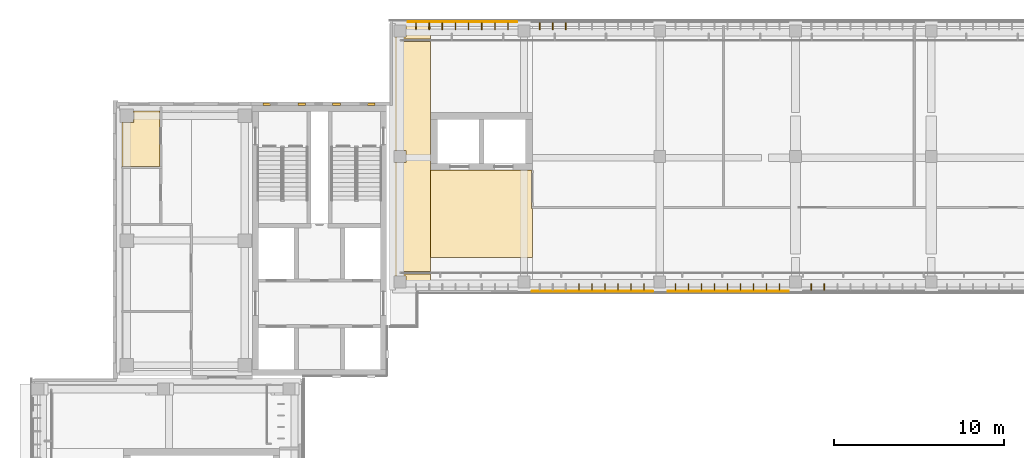
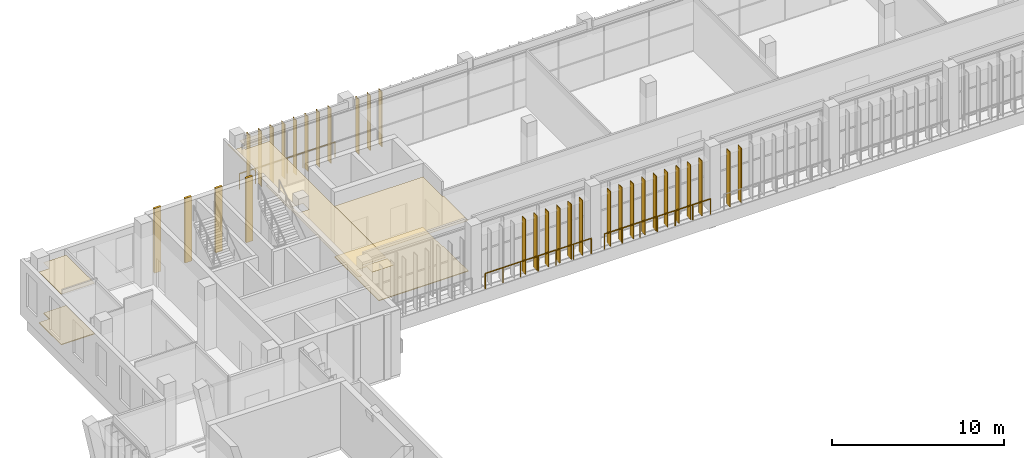
# One storey, part 62 of 73: 28 shading devices, 9 coverings, 3 railings.
"""IFC4 building model written with IfcOpenShell, lengths in metres."""

from ifc_helpers import new_model, si_unit, direction, frame, frame_2d, origin, origin_2d, place, context, subcontext, project, spatial, polyline, rectangle, circle, outline, extrude, material, layer, layer_set, type_object, element, save


model = new_model("IFC4")

# Units and contexts
model_context = context("Model", 3, precision=1e-05, world=origin(), true_north=direction((0.0, 1.0)))
body_context = subcontext(model_context, "Body", "Model", "MODEL_VIEW")
ifc_project = project(units=[si_unit("LENGTHUNIT", "METRE"), si_unit("AREAUNIT", "SQUARE_METRE"), si_unit("VOLUMEUNIT", "CUBIC_METRE"), si_unit("PLANEANGLEUNIT", "RADIAN"), si_unit("MASSUNIT", "GRAM", prefix="KILO")], contexts=[model_context])

# Site, building, storey
site_placement = place(None, origin())
site = spatial("IfcSite", under=ifc_project, at=site_placement, CompositionType="ELEMENT")
building_placement = place(site_placement, origin())
building = spatial("IfcBuilding", under=site, at=building_placement, Name="Lantern Court Media Centre", CompositionType="ELEMENT")
storey_placement = place(building_placement, frame((0.0, 0.0, 24.0)))
storey = spatial("IfcBuildingStorey", under=building, at=storey_placement, Name="L05", CompositionType="ELEMENT", Elevation=24.0)

# Covering
ifc_material_1 = material(Name="Carpet")
ifc_layer_1 = layer(ifc_material_1, 0.050048828125)
ifc_layer_set_1 = layer_set([ifc_layer_1], Name="Carpet")
covering_type_1 = type_object("IfcCoveringType", Name="Carpet floor finish", PredefinedType="FLOORING", material=ifc_layer_set_1)
covering_1_placement = place(storey_placement, origin())
element("IfcCovering", 1, at=covering_1_placement, inside=storey, type_object=covering_type_1, Name="WC Male floor finish", PredefinedType="FLOORING", context=body_context, shape_type="SweptSolid", body=[
    extrude(outline(polyline([(10.532470703125, 111.699951171875), (10.532470703125, 108.407958984375), (8.300048828125, 108.407958984375), (8.300048828125, 110.9951171875), (9.00341796875, 110.99658203125), (9.0048828125, 111.699951171875), (10.532470703125, 111.699951171875)])), origin(), (0.0, 0.0, 1.0), 0.050048828125),
])

# Railings
ifc_material_2 = material(Name="Powder-coated steel", Category="steel")
railing_type = type_object("IfcRailingType", Name="Floor edge guard 1100", PredefinedType="GUARDRAIL", material=ifc_material_2)
railing_placement = place(storey_placement, frame((25.175048828125, 116.93994140625, 0.0)))
element("IfcRailing", 2, at=railing_placement, inside=storey, type_object=railing_type, Name="L05 edge guard 167", PredefinedType="GUARDRAIL", context=body_context, shape_type="SweptSolid", body=[
    extrude(circle(Radius=0.02392578125, at=origin_2d()), frame((0.0, 0.0, 1.076171875), z_axis=(1.0, 0.0, 0.0), x_axis=(0.0, 1.0, 0.0)), (0.0, 0.0, 1.0), 6.39794921875),
    extrude(circle(Radius=0.02099609375, at=origin_2d()), origin(), (0.0, 0.0, 1.0), 1.052001953125),
    extrude(circle(Radius=0.02099609375, at=origin_2d()), frame((1.06640625, 0.0, 0.0)), (0.0, 0.0, 1.0), 1.052001953125),
    extrude(circle(Radius=0.02099609375, at=origin_2d()), frame((2.132568359375, 0.0, 0.0)), (0.0, 0.0, 1.0), 1.052001953125),
    extrude(circle(Radius=0.02099609375, at=origin_2d()), frame((3.198974609375, 0.0, 0.0)), (0.0, 0.0, 1.0), 1.052001953125),
    extrude(circle(Radius=0.02099609375, at=origin_2d()), frame((4.265380859375, 0.0, 0.0)), (0.0, 0.0, 1.0), 1.052001953125),
    extrude(circle(Radius=0.02099609375, at=origin_2d()), frame((5.33154296875, 0.0, 0.0)), (0.0, 0.0, 1.0), 1.052001953125),
    extrude(circle(Radius=0.02099609375, at=origin_2d()), frame((6.39794921875, 0.0, 0.0)), (0.0, 0.0, 1.0), 1.052001953125),
])
for number, where, name in (
    (3, (39.5849609375, 101.06005859375, 0.0), "L05 edge guard 170"),
    (4, (47.5830078125, 101.06005859375, 0.0), "L05 edge guard 173"),
):
    element("IfcRailing", number, at=place(storey_placement, frame(where)), inside=storey, type_object=railing_type, Name=name, PredefinedType="GUARDRAIL", context=body_context, shape_type="SweptSolid", body=[
        extrude(circle(Radius=0.02392578125, at=origin_2d()), frame((0.0, 0.0, 1.076171875), z_axis=(-1.0, 0.0, 0.0), x_axis=(0.0, -1.0, 0.0)), (0.0, 0.0, 1.0), 7.097900390625),
        extrude(circle(Radius=0.02099609375, at=origin_2d()), origin(), (0.0, 0.0, 1.0), 1.052001953125),
        extrude(circle(Radius=0.02099609375, at=origin_2d()), frame((-1.18310546875, 0.0, 0.0)), (0.0, 0.0, 1.0), 1.052001953125),
        extrude(circle(Radius=0.02099609375, at=origin_2d()), frame((-2.365966796875, 0.0, 0.0)), (0.0, 0.0, 1.0), 1.052001953125),
        extrude(circle(Radius=0.02099609375, at=origin_2d()), frame((-3.548828125, 0.0, 0.0)), (0.0, 0.0, 1.0), 1.052001953125),
        extrude(circle(Radius=0.02099609375, at=origin_2d()), frame((-4.73193359375, 0.0, 0.0)), (0.0, 0.0, 1.0), 1.052001953125),
        extrude(circle(Radius=0.02099609375, at=origin_2d()), frame((-5.9150390625, 0.0, 0.0)), (0.0, 0.0, 1.0), 1.052001953125),
        extrude(circle(Radius=0.02099609375, at=origin_2d()), frame((-7.097900390625, 0.0, 0.0)), (0.0, 0.0, 1.0), 1.052001953125),
    ])

# Coverings
ifc_material_3 = material(Name="Honed limestone cladding", Category="masonry")
ifc_layer_2 = layer(ifc_material_3, 0.14990234375)
ifc_layer_set_2 = layer_set([ifc_layer_2], Name="Honed limestone cladding")
covering_type_2 = type_object("IfcCoveringType", Name="Limestone pilaster cladding 150", PredefinedType="CLADDING", material=ifc_layer_set_2)
for number, where, z_axis, x_axis, name in (
    (5, (16.625, 112.074951171875, 0.0), (0.0, 0.0, 1.0), (1.0, 0.0, 0.0), "Limestone pilaster rib"),
    (6, (18.675048828125, 112.074951171875, 0.0), (0.0, 0.0, 1.0), (1.0, 0.0, 0.0), "Limestone pilaster rib"),
    (7, (20.72509765625, 112.074951171875, 0.0), (0.0, 0.0, 1.0), (1.0, 0.0, 0.0), "Limestone pilaster rib"),
):
    element("IfcCovering", number, at=place(storey_placement, frame(where, z_axis=z_axis, x_axis=x_axis)), inside=storey, type_object=covering_type_2, Name=name, PredefinedType="CLADDING", context=body_context, shape_type="SweptSolid", body=[
        extrude(rectangle(XDim=0.449951171875, YDim=0.14990234375, at=frame_2d((0.22509765625, 0.0))), origin(), (0.0, 0.0, 1.0), 4.580078125),
    ])
covering_2_placement = place(storey_placement, frame((22.77490234375, 112.074951171875, 0.0), z_axis=(0.0, 0.0, 1.0), x_axis=(1.0, 0.0, 0.0)))
element("IfcCovering", 8, at=covering_2_placement, inside=storey, type_object=covering_type_2, Name="Limestone pilaster rib", PredefinedType="CLADDING", context=body_context, shape_type="SweptSolid", body=[
    extrude(rectangle(XDim=0.4501953125, YDim=0.14990234375, at=frame_2d((0.22509765625, 0.0))), origin(), (0.0, 0.0, 1.0), 4.580078125),
])
ifc_material_4 = material(Name="Mineral fibre ceiling tile")
ifc_layer_3 = layer(ifc_material_4, 0.02001953125)
ifc_layer_set_3 = layer_set([ifc_layer_3], Name="Mineral fibre ceiling tile")
covering_type_3 = type_object("IfcCoveringType", Name="Suspended ceiling tile", PredefinedType="CEILING", material=ifc_layer_set_3)
covering_3_placement = place(storey_placement, frame((0.0, 0.0, 3.60009765625)))
element("IfcCovering", 9, at=covering_3_placement, inside=storey, type_object=covering_type_3, Name="End Lobby ceiling", PredefinedType="CEILING", context=body_context, shape_type="SweptSolid", body=[
    extrude(outline(polyline([(26.5, 101.300048828125), (25.050537109375, 101.300048828125), (25.050048828125, 101.950439453125), (24.349609375, 101.950439453125), (24.349609375, 101.300048828125), (24.10009765625, 101.300048828125), (24.10009765625, 111.99951171875), (24.240478515625, 112.0), (24.240478515625, 116.699951171875), (24.349609375, 116.699951171875), (24.35009765625, 116.049560546875), (25.05029296875, 116.049560546875), (25.050537109375, 116.699951171875), (26.5, 116.699951171875), (26.5, 115.925537109375), (24.8994140625, 115.925048828125), (24.89990234375, 115.7744140625), (26.5, 115.7744140625), (26.5, 102.2255859375), (24.8994140625, 102.22509765625), (24.89990234375, 102.074462890625), (26.5, 102.074462890625), (26.5, 101.300048828125)]), holes=[polyline([(25.050537109375, 109.35009765625), (24.349609375, 109.350341796875), (24.349609375, 108.649658203125), (25.05029296875, 108.649658203125), (25.050537109375, 109.35009765625)])]), origin(), (0.0, 0.0, 1.0), 0.02001953125),
])
covering_4_placement = place(storey_placement, frame((0.0, 0.0, 3.60009765625)))
element("IfcCovering", 10, at=covering_4_placement, inside=storey, type_object=covering_type_3, Name="Lift Lobby ceiling", PredefinedType="CEILING", context=body_context, shape_type="SweptSolid", body=[
    extrude(outline(polyline([(32.5, 103.050048828125), (26.5, 103.050048828125), (26.5, 108.199462890625), (32.5, 108.199462890625), (32.43701171875, 108.195068359375), (32.43701171875, 105.9375), (32.5, 105.93701171875), (32.5, 103.050048828125)])), origin(), (0.0, 0.0, 1.0), 0.02001953125),
])
covering_5_placement = place(storey_placement, frame((0.0, 0.0, 3.60009765625)))
element("IfcCovering", 11, at=covering_5_placement, inside=storey, type_object=covering_type_3, Name="WC Male ceiling", PredefinedType="CEILING", context=body_context, shape_type="SweptSolid", body=[
    extrude(outline(polyline([(10.537109375, 111.699951171875), (10.537109375, 108.403564453125), (8.300048828125, 108.403564453125), (8.300048828125, 110.99951171875), (9.000244140625, 110.999755859375), (9.00048828125, 111.699951171875), (10.537109375, 111.699951171875)])), origin(), (0.0, 0.0, 1.0), 0.02001953125),
])
ifc_material_5 = material(Name="Terrazzo")
ifc_layer_4 = layer(ifc_material_5, 0.050048828125)
ifc_layer_set_4 = layer_set([ifc_layer_4], Name="Terrazzo")
covering_type_4 = type_object("IfcCoveringType", Name="Terrazzo floor finish", PredefinedType="FLOORING", material=ifc_layer_set_4)
covering_6_placement = place(storey_placement, origin())
element("IfcCovering", 12, at=covering_6_placement, inside=storey, type_object=covering_type_4, Name="Lift Lobby floor finish", PredefinedType="FLOORING", context=body_context, shape_type="SweptSolid", body=[
    extrude(outline(polyline([(32.5, 103.050048828125), (26.5, 103.050048828125), (26.5, 108.195068359375), (32.4326171875, 108.195068359375), (32.4326171875, 105.9375), (32.5, 105.9326171875), (32.5, 103.050048828125)])), origin(), (0.0, 0.0, 1.0), 0.050048828125),
])

# Shading devices
ifc_material_6 = material(Name="Bronze anodised aluminium louvre", Category="aluminium")
ifc_layer_5 = layer(ifc_material_6, 0.0400390625)
ifc_layer_set_5 = layer_set([ifc_layer_5], Name="Bronze anodised aluminium louvre")
shading_device_type = type_object("IfcShadingDeviceType", Name="Vertical louvre 40x400 under beam", PredefinedType="USERDEFINED", material=ifc_layer_set_5)
for number, where, z_axis, x_axis, name in (
    (13, (25.637451171875, 116.679931640625, 0.0), (0.0, 0.0, 1.0), (1.0, 0.0, 0.0), "Vertical louvre N outer L05"),
    (14, (26.41259765625, 116.679931640625, 0.0), (0.0, 0.0, 1.0), (1.0, 0.0, 0.0), "Vertical louvre N outer L05"),
    (15, (27.1875, 116.679931640625, 0.0), (0.0, 0.0, 1.0), (1.0, 0.0, 0.0), "Vertical louvre N outer L05"),
    (16, (27.96240234375, 116.679931640625, 0.0), (0.0, 0.0, 1.0), (1.0, 0.0, 0.0), "Vertical louvre N outer L05"),
    (17, (28.737548828125, 116.679931640625, 0.0), (0.0, 0.0, 1.0), (1.0, 0.0, 0.0), "Vertical louvre N outer L05"),
    (18, (29.512451171875, 116.679931640625, 0.0), (0.0, 0.0, 1.0), (1.0, 0.0, 0.0), "Vertical louvre N outer L05"),
    (19, (30.28759765625, 116.679931640625, 0.0), (0.0, 0.0, 1.0), (1.0, 0.0, 0.0), "Vertical louvre N outer L05"),
    (20, (31.0625, 116.679931640625, 0.0), (0.0, 0.0, 1.0), (1.0, 0.0, 0.0), "Vertical louvre N outer L05"),
    (21, (32.933349609375, 116.679931640625, 0.0), (0.0, 0.0, 1.0), (1.0, 0.0, 0.0), "Vertical louvre N outer L05"),
    (22, (33.699951171875, 116.679931640625, 0.0), (0.0, 0.0, 1.0), (1.0, 0.0, 0.0), "Vertical louvre N outer L05"),
    (23, (34.466552734375, 116.679931640625, 0.0), (0.0, 0.0, 1.0), (1.0, 0.0, 0.0), "Vertical louvre N outer L05"),
    (24, (35.2333984375, 101.320068359375, 0.0), (0.0, 0.0, 1.0), (1.0, 0.0, 0.0), "Vertical louvre N inner L05"),
    (25, (36.0, 101.320068359375, 0.0), (0.0, 0.0, 1.0), (1.0, 0.0, 0.0), "Vertical louvre N inner L05"),
    (26, (36.7666015625, 101.320068359375, 0.0), (0.0, 0.0, 1.0), (1.0, 0.0, 0.0), "Vertical louvre N inner L05"),
    (27, (37.533447265625, 101.320068359375, 0.0), (0.0, 0.0, 1.0), (1.0, 0.0, 0.0), "Vertical louvre N inner L05"),
    (28, (38.300048828125, 101.320068359375, 0.0), (0.0, 0.0, 1.0), (1.0, 0.0, 0.0), "Vertical louvre N inner L05"),
    (29, (39.066650390625, 101.320068359375, 0.0), (0.0, 0.0, 1.0), (1.0, 0.0, 0.0), "Vertical louvre N inner L05"),
    (30, (40.933349609375, 101.320068359375, 0.0), (0.0, 0.0, 1.0), (1.0, 0.0, 0.0), "Vertical louvre N inner L05"),
    (31, (41.699951171875, 101.320068359375, 0.0), (0.0, 0.0, 1.0), (1.0, 0.0, 0.0), "Vertical louvre N inner L05"),
    (32, (42.466552734375, 101.320068359375, 0.0), (0.0, 0.0, 1.0), (1.0, 0.0, 0.0), "Vertical louvre N inner L05"),
    (33, (43.2333984375, 101.320068359375, 0.0), (0.0, 0.0, 1.0), (1.0, 0.0, 0.0), "Vertical louvre N inner L05"),
    (34, (44.0, 101.320068359375, 0.0), (0.0, 0.0, 1.0), (1.0, 0.0, 0.0), "Vertical louvre N inner L05"),
    (35, (44.7666015625, 101.320068359375, 0.0), (0.0, 0.0, 1.0), (1.0, 0.0, 0.0), "Vertical louvre N inner L05"),
    (36, (45.533447265625, 101.320068359375, 0.0), (0.0, 0.0, 1.0), (1.0, 0.0, 0.0), "Vertical louvre N inner L05"),
    (37, (46.300048828125, 101.320068359375, 0.0), (0.0, 0.0, 1.0), (1.0, 0.0, 0.0), "Vertical louvre N inner L05"),
    (38, (47.066650390625, 101.320068359375, 0.0), (0.0, 0.0, 1.0), (1.0, 0.0, 0.0), "Vertical louvre N inner L05"),
    (39, (48.933349609375, 101.320068359375, 0.0), (0.0, 0.0, 1.0), (1.0, 0.0, 0.0), "Vertical louvre N inner L05"),
    (40, (49.699951171875, 101.320068359375, 0.0), (0.0, 0.0, 1.0), (1.0, 0.0, 0.0), "Vertical louvre N inner L05"),
):
    element("IfcShadingDevice", number, at=place(storey_placement, frame(where, z_axis=z_axis, x_axis=x_axis)), inside=storey, type_object=shading_device_type, Name=name, ObjectType="VERTICAL LOUVRE", PredefinedType="USERDEFINED", context=body_context, shape_type="SweptSolid", body=[
        extrude(rectangle(XDim=0.0400390625, YDim=0.39990234375, at=origin_2d()), origin(), (0.0, 0.0, 1.0), 3.89990234375),
    ])

save(model, "model.ifc")
